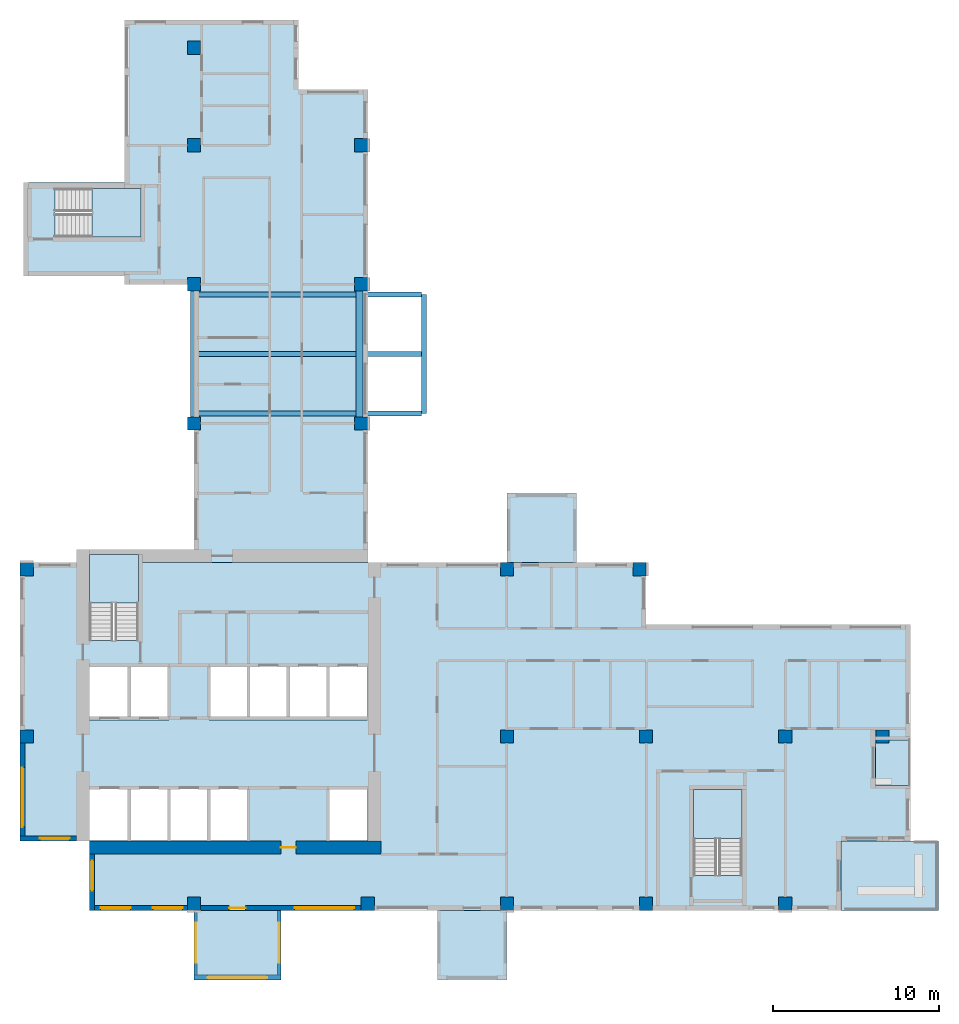
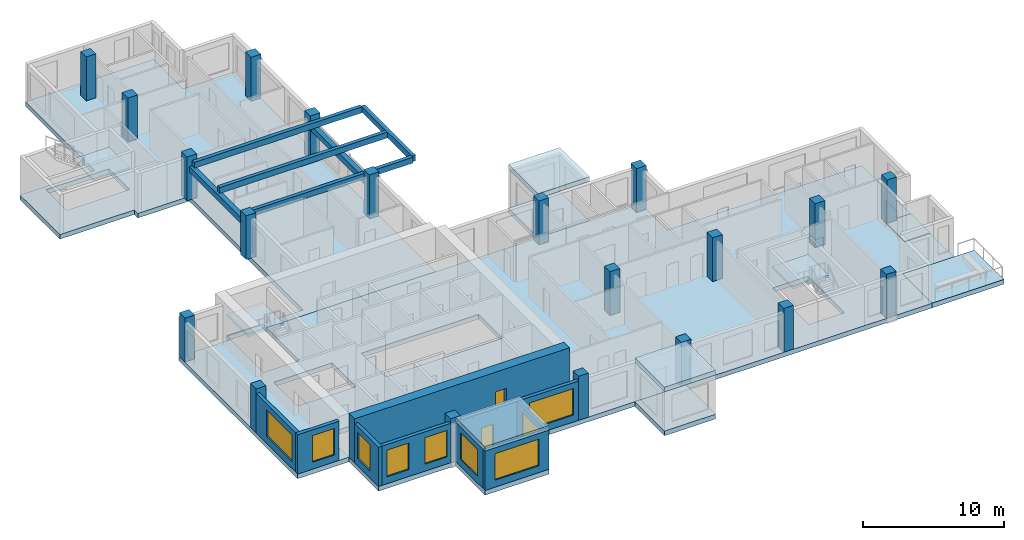
# One storey, part 1 of 12: 20 columns, 13 slabs, 9 walls, 9 windows, 6 beams, 2 doors, 11 openings, 3 elements without a shape of their own.
"""IFC4 building model written with IfcOpenShell, lengths in metres."""

from ifc_helpers import new_model, si_unit, direction, frame, frame_2d, origin, origin_2d, place, context, subcontext, project, spatial, polyline, rectangle, outline, extrude, source, transform, mapped, material, layer, layer_set, material_profile, profile_set, type_object, element, fill, aggregate, save


model = new_model("IFC4")

# Units and contexts
model_context = context("Model", 3, precision=1e-05, world=origin(), true_north=direction((0.0, 1.0)))
body_context = subcontext(model_context, "Body", "Model", "MODEL_VIEW")
ifc_project = project(units=[si_unit("LENGTHUNIT", "METRE"), si_unit("AREAUNIT", "SQUARE_METRE"), si_unit("VOLUMEUNIT", "CUBIC_METRE"), si_unit("PLANEANGLEUNIT", "RADIAN"), si_unit("MASSUNIT", "GRAM", prefix="KILO")], contexts=[model_context])

# Site, building, storey
site_placement = place(None, origin())
site = spatial("IfcSite", under=ifc_project, at=site_placement, CompositionType="ELEMENT")
building_placement = place(site_placement, origin())
building = spatial("IfcBuilding", under=site, at=building_placement, Name="Aurelian Terraces", CompositionType="ELEMENT")
storey_placement = place(building_placement, frame((0.0, 0.0, 234.8)))
storey = spatial("IfcBuildingStorey", under=building, at=storey_placement, Name="L53", CompositionType="ELEMENT", Elevation=234.8)

# Columns
ifc_material_1 = material(Name="Concrete fc' 70 MPa", Category="concrete")
ifc_material_profile_1 = material_profile(ifc_material_1, rectangle(XDim=0.8, YDim=0.8, at=origin_2d()))
ifc_profile_set_1 = profile_set([ifc_material_profile_1], Name="Concrete fc' 70 MPa")
column_type = type_object("IfcColumnType", Name="RC COLUMN 800X800 FC70", PredefinedType="COLUMN", material=ifc_profile_set_1)
shared_shape_1 = source(origin(), body_context, "Body", "SweptSolid", [
    extrude(rectangle(XDim=0.8, YDim=0.8, at=origin_2d()), origin(), (0.0, 0.0, 1.0), 3.8),
])
for number, where, z_axis, x_axis, name in (
    (1, (10.5, 0.4, 0.0), (0.0, 0.0, 1.0), (1.0, 0.0, 0.0), "Column 2/A L53"),
    (2, (21.0, 0.4, 0.0), (0.0, 0.0, 1.0), (1.0, 0.0, 0.0), "Column 3/A L53"),
    (3, (29.4, 0.4, 0.0), (0.0, 0.0, 1.0), (1.0, 0.0, 0.0), "Column 4/A L53"),
    (4, (37.8, 0.4, 0.0), (0.0, 0.0, 1.0), (1.0, 0.0, 0.0), "Column 5/A L53"),
    (5, (46.2, 0.4, 0.0), (0.0, 0.0, 1.0), (1.0, 0.0, 0.0), "Column 6/A L53"),
    (6, (0.4, 10.5, 0.0), (0.0, 0.0, 1.0), (1.0, 0.0, 0.0), "Column 1/B L53"),
    (7, (29.4, 10.5, 0.0), (0.0, 0.0, 1.0), (1.0, 0.0, 0.0), "Column 4/B L53"),
    (8, (37.8, 10.5, 0.0), (0.0, 0.0, 1.0), (1.0, 0.0, 0.0), "Column 5/B L53"),
    (9, (46.2, 10.5, 0.0), (0.0, 0.0, 1.0), (1.0, 0.0, 0.0), "Column 6/B L53"),
    (10, (52.08, 10.5, 0.0), (0.0, 0.0, 1.0), (1.0, 0.0, 0.0), "Column 7/B L53"),
    (11, (0.4, 20.6, 0.0), (0.0, 0.0, 1.0), (1.0, 0.0, 0.0), "Column 1/C L53"),
    (12, (29.4, 20.6, 0.0), (0.0, 0.0, 1.0), (1.0, 0.0, 0.0), "Column 4/C L53"),
    (13, (37.4, 20.6, 0.0), (0.0, 0.0, 1.0), (1.0, 0.0, 0.0), "Column 5/C L53"),
    (14, (10.5, 29.4, 0.0), (0.0, 0.0, 1.0), (1.0, 0.0, 0.0), "Column 2/D L53"),
    (15, (20.6, 29.4, 0.0), (0.0, 0.0, 1.0), (1.0, 0.0, 0.0), "Column 3/D L53"),
    (16, (10.5, 37.8, 0.0), (0.0, 0.0, 1.0), (1.0, 0.0, 0.0), "Column 2/E L53"),
    (17, (20.6, 37.8, 0.0), (0.0, 0.0, 1.0), (1.0, 0.0, 0.0), "Column 3/E L53"),
    (18, (10.5, 46.2, 0.0), (0.0, 0.0, 1.0), (1.0, 0.0, 0.0), "Column 2/F L53"),
    (19, (20.6, 46.2, 0.0), (0.0, 0.0, 1.0), (1.0, 0.0, 0.0), "Column 3/F L53"),
    (20, (10.5, 52.08, 0.0), (0.0, 0.0, 1.0), (1.0, 0.0, 0.0), "Column 2/G L53"),
):
    element("IfcColumn", number, at=place(storey_placement, frame(where, z_axis=z_axis, x_axis=x_axis)), inside=storey, type_object=column_type, Name=name, PredefinedType="COLUMN", context=body_context, shape_type="MappedRepresentation", body=[
        mapped(shared_shape_1, transform((0.0, 0.0, 0.0), scale=1.0)),
    ])

# Beams
ifc_material_2 = material(Name="Concrete fc' 40 MPa", Category="concrete")
ifc_material_profile_2 = material_profile(ifc_material_2, rectangle(XDim=0.3, YDim=0.5, at=origin_2d()))
ifc_profile_set_2 = profile_set([ifc_material_profile_2], Name="Concrete fc' 40 MPa")
beam_type_1 = type_object("IfcBeamType", Name="CONCRETE CANTILEVER BEAM 300X500", PredefinedType="BEAM", material=ifc_profile_set_2)
beam_placement = place(storey_placement, frame((24.4, 30.0, 3.15), z_axis=(0.0, 1.0, 0.0), x_axis=(-1.0, 0.0, 0.0)))
element("IfcBeam", 21, at=beam_placement, inside=storey, type_object=beam_type_1, Name="Box tip beam J78", PredefinedType="BEAM", context=body_context, shape_type="SweptSolid", body=[
    extrude(rectangle(XDim=0.3, YDim=0.5, at=origin_2d()), origin(), (0.0, 0.0, 1.0), 7.2),
])
shared_shape_2 = source(origin(), body_context, "Body", "SweptSolid", [
    extrude(rectangle(XDim=0.3, YDim=0.5, at=origin_2d()), origin(), (0.0, 0.0, 1.0), 13.75),
])
for number, where, z_axis, x_axis, name in (
    (22, (24.25, 30.0, 3.15), (-1.0, 0.0, 0.0), (0.0, -1.0, 0.0), "Box cantilever beam J78.1"),
    (23, (24.25, 37.2, 3.15), (-1.0, 0.0, 0.0), (0.0, -1.0, 0.0), "Box cantilever beam J78.2"),
    (24, (24.25, 33.6, 3.15), (-1.0, 0.0, 0.0), (0.0, -1.0, 0.0), "Box cantilever beam J78.m1"),
):
    element("IfcBeam", number, at=place(storey_placement, frame(where, z_axis=z_axis, x_axis=x_axis)), inside=storey, type_object=beam_type_1, Name=name, PredefinedType="BEAM", context=body_context, shape_type="MappedRepresentation", body=[
        mapped(shared_shape_2, transform((0.0, 0.0, 0.0), scale=1.0)),
    ])
ifc_material_profile_3 = material_profile(ifc_material_2, rectangle(XDim=0.4, YDim=0.5, at=origin_2d()))
ifc_profile_set_3 = profile_set([ifc_material_profile_3], Name="Concrete fc' 40 MPa")
beam_type_2 = type_object("IfcBeamType", Name="CONCRETE EDGE GIRDER 400X500", PredefinedType="BEAM", material=ifc_profile_set_3)
shared_shape_3 = source(origin(), body_context, "Body", "SweptSolid", [
    extrude(rectangle(XDim=0.4, YDim=0.5, at=origin_2d()), origin(), (0.0, 0.0, 1.0), 7.6),
])
for number, where, z_axis, x_axis, name in (
    (25, (20.5, 29.8, 2.65), (0.0, 1.0, 0.0), (-1.0, 0.0, 0.0), "Box girder L53 O152"),
    (26, (10.5, 29.8, 2.65), (0.0, 1.0, 0.0), (-1.0, 0.0, 0.0), "Box girder L53 I153"),
):
    element("IfcBeam", number, at=place(storey_placement, frame(where, z_axis=z_axis, x_axis=x_axis)), inside=storey, type_object=beam_type_2, Name=name, PredefinedType="BEAM", context=body_context, shape_type="MappedRepresentation", body=[
        mapped(shared_shape_3, transform((0.0, 0.0, 0.0), scale=1.0)),
    ])

# Slabs
ifc_layer_1 = layer(ifc_material_2, 0.4)
ifc_layer_set_1 = layer_set([ifc_layer_1], Name="PT FLAT PLATE 400")
slab_type_1 = type_object("IfcSlabType", Name="PT FLAT PLATE 400", PredefinedType="FLOOR", material=ifc_layer_set_1)
slab_1_placement = place(storey_placement, frame((0.0, 0.0, -0.4)))
element("IfcSlab", 27, at=slab_1_placement, inside=storey, type_object=slab_type_1, Name="Floor slab S L53", PredefinedType="FLOOR", context=body_context, shape_type="SweptSolid", body=[
    extrude(outline(polyline([(53.76, 4.2), (49.56, 4.2), (49.56, 0.0), (21.0, 0.0), (4.2, 0.0), (4.2, 4.2), (0.0, 4.2), (0.0, 21.0), (4.21, 21.0), (4.21, 16.31), (7.14, 16.31), (7.14, 21.0), (21.0, 21.0), (37.8, 21.0), (37.8, 17.25), (49.56, 17.25), (53.76, 17.25), (53.76, 16.8), (53.76, 16.65), (53.76, 4.2)]), holes=[polyline([(40.66, 2.11), (43.59, 2.11), (43.59, 7.29), (40.66, 7.29), (40.66, 2.11)]), polyline([(18.61, 7.49), (18.61, 4.21), (20.99, 4.21), (20.99, 7.49), (18.61, 7.49)]), polyline([(20.99, 14.89), (11.41, 14.89), (11.41, 11.51), (20.99, 11.51), (20.99, 14.89)]), polyline([(4.21, 7.49), (4.21, 4.21), (13.79, 4.21), (13.79, 7.49), (4.21, 7.49)]), polyline([(4.21, 14.89), (4.21, 11.51), (8.99, 11.51), (8.99, 14.89), (4.21, 14.89)])]), origin(), (0.0, 0.0, 1.0), 0.4),
])
ifc_layer_2 = layer(ifc_material_2, 0.4001)
ifc_layer_set_2 = layer_set([ifc_layer_2], Name="Terrace slab 400")
slab_type_2 = type_object("IfcSlabType", Name="Terrace slab 400", PredefinedType="NOTDEFINED", material=ifc_layer_set_2)
slab_2_placement = place(storey_placement, frame((0.0, 0.0, -0.4001)))
element("IfcSlab", 28, at=slab_2_placement, inside=storey, type_object=slab_type_2, Name="Setback terrace L53 L53-X1", PredefinedType="NOTDEFINED", context=body_context, shape_type="SweptSolid", body=[
    extrude(outline(polyline([(53.76, 4.2), (55.44, 4.2), (55.44, 0.0), (49.56, 0.0), (49.56, 4.2), (53.76, 4.2), (53.76, 4.2)])), origin(), (0.0, 0.0, 1.0), 0.4001),
])
shared_shape_4 = source(origin(), body_context, "Body", "SweptSolid", [
    extrude(outline(polyline([(6.3, 43.95), (6.3, 49.56), (6.3, 53.76), (10.5, 53.76), (16.8, 53.76), (16.8, 49.56), (21.0, 49.56), (21.0, 21.0), (7.14, 21.0), (7.14, 21.49), (4.21, 21.49), (4.21, 21.0), (4.2, 21.0), (4.2, 21.6), (6.3, 21.6), (10.5, 21.6), (10.5, 37.8), (6.3, 37.8), (6.3, 38.3), (0.2, 38.3), (0.2, 43.95), (6.3, 43.95)]), holes=[polyline([(7.29, 43.59), (2.11, 43.59), (2.11, 40.66), (7.29, 40.66), (7.29, 43.59)])]), origin(), (0.0, 0.0, 1.0), 0.4),
])
slab_3_placement = place(storey_placement, frame((0.0, 0.0, -0.4)))
element("IfcSlab", 29, at=slab_3_placement, inside=storey, type_object=slab_type_1, Name="Floor slab W L53", PredefinedType="FLOOR", context=body_context, shape_type="MappedRepresentation", body=[
    mapped(shared_shape_4, transform((0.0, 0.0, 0.0), scale=1.0)),
])
ifc_layer_3 = layer(ifc_material_2, 0.41)
ifc_layer_set_3 = layer_set([ifc_layer_3], Name="Box floor 410")
slab_type_3 = type_object("IfcSlabType", Name="Box floor 410", PredefinedType="NOTDEFINED", material=ifc_layer_set_3)
shared_shape_5 = source(origin(), body_context, "Body", "SweptSolid", [
    extrude(outline(polyline([(25.2, -4.2), (29.4, -4.2), (29.4, 0.0), (25.2, 0.0), (25.2, -4.2)])), origin(), (0.0, 0.0, 1.0), 0.41),
])
slab_4_placement = place(storey_placement, frame((0.0, 0.0, -0.41)))
element("IfcSlab", 30, at=slab_4_placement, inside=storey, type_object=slab_type_3, Name="Box floor L53 J76", PredefinedType="NOTDEFINED", context=body_context, shape_type="MappedRepresentation", body=[
    mapped(shared_shape_5, transform((0.0, 0.0, 0.0), scale=1.0)),
])
ifc_layer_4 = layer(ifc_material_2, 0.4)
ifc_layer_set_4 = layer_set([ifc_layer_4], Name="Box roof 400")
slab_type_4 = type_object("IfcSlabType", Name="Box roof 400", PredefinedType="ROOF", material=ifc_layer_set_4)
shared_shape_6 = source(origin(), body_context, "Body", "SweptSolid", [
    extrude(outline(polyline([(25.2, -4.2), (29.4, -4.2), (29.4, 0.0), (25.2, 0.0), (25.2, -4.2)])), origin(), (0.0, 0.0, 1.0), 0.4),
])
slab_5_placement = place(storey_placement, frame((0.0, 0.0, 3.4)))
element("IfcSlab", 31, at=slab_5_placement, inside=storey, type_object=slab_type_4, Name="Box roof J76", PredefinedType="ROOF", context=body_context, shape_type="MappedRepresentation", body=[
    mapped(shared_shape_6, transform((0.0, 0.0, 0.0), scale=1.0)),
])
shared_shape_7 = source(origin(), body_context, "Body", "SweptSolid", [
    extrude(outline(polyline([(33.6, 25.2), (29.4, 25.2), (29.4, 21.0), (33.6, 21.0), (33.6, 25.2)])), origin(), (0.0, 0.0, 1.0), 0.41),
])
slab_6_placement = place(storey_placement, frame((0.0, 0.0, -0.41)))
element("IfcSlab", 32, at=slab_6_placement, inside=storey, type_object=slab_type_3, Name="Box floor L53 J77", PredefinedType="NOTDEFINED", context=body_context, shape_type="MappedRepresentation", body=[
    mapped(shared_shape_7, transform((0.0, 0.0, 0.0), scale=1.0)),
])
shared_shape_8 = source(origin(), body_context, "Body", "SweptSolid", [
    extrude(outline(polyline([(10.5, -4.2), (15.75, -4.2), (15.75, 0.0), (10.5, 0.0), (10.5, -4.2)])), origin(), (0.0, 0.0, 1.0), 0.41),
])
slab_7_placement = place(storey_placement, frame((0.0, 0.0, -0.41)))
element("IfcSlab", 33, at=slab_7_placement, inside=storey, type_object=slab_type_3, Name="Box floor L53 J75", PredefinedType="NOTDEFINED", context=body_context, shape_type="MappedRepresentation", body=[
    mapped(shared_shape_8, transform((0.0, 0.0, 0.0), scale=1.0)),
])
shared_shape_9 = source(origin(), body_context, "Body", "SweptSolid", [
    extrude(outline(polyline([(33.6, 25.2), (29.4, 25.2), (29.4, 21.0), (33.6, 21.0), (33.6, 25.2)])), origin(), (0.0, 0.0, 1.0), 0.4),
])
slab_8_placement = place(storey_placement, frame((0.0, 0.0, 3.4)))
element("IfcSlab", 34, at=slab_8_placement, inside=storey, type_object=slab_type_4, Name="Box roof J77", PredefinedType="ROOF", context=body_context, shape_type="MappedRepresentation", body=[
    mapped(shared_shape_9, transform((0.0, 0.0, 0.0), scale=1.0)),
])
shared_shape_10 = source(origin(), body_context, "Body", "SweptSolid", [
    extrude(outline(polyline([(10.5, -4.2), (15.75, -4.2), (15.75, 0.0), (10.5, 0.0), (10.5, -4.2)])), origin(), (0.0, 0.0, 1.0), 0.4),
])
slab_9_placement = place(storey_placement, frame((0.0, 0.0, 3.4)))
element("IfcSlab", 35, at=slab_9_placement, inside=storey, type_object=slab_type_4, Name="Box roof J75", PredefinedType="ROOF", context=body_context, shape_type="MappedRepresentation", body=[
    mapped(shared_shape_10, transform((0.0, 0.0, 0.0), scale=1.0)),
])
ifc_material_3 = material(Name="Granite paving", Category="masonry")
ifc_layer_5 = layer(ifc_material_3, 0.05)
ifc_layer_set_5 = layer_set([ifc_layer_5], Name="Loggia paving 50")
slab_type_5 = type_object("IfcSlabType", Name="Loggia paving 50", PredefinedType="NOTDEFINED", material=ifc_layer_set_5)
shared_shape_11 = source(origin(), body_context, "Body", "SweptSolid", [
    extrude(outline(polyline([(53.76, 7.55), (53.76, 10.3), (51.66, 10.3), (51.66, 7.55), (53.76, 7.55)])), origin(), (0.0, 0.0, 1.0), 0.05),
])
slab_10_placement = place(storey_placement, origin())
element("IfcSlab", 36, at=slab_10_placement, inside=storey, type_object=slab_type_5, Name="Loggia floor L53 F04.11", PredefinedType="NOTDEFINED", context=body_context, shape_type="MappedRepresentation", body=[
    mapped(shared_shape_11, transform((0.0, 0.0, 0.0), scale=1.0)),
])

# Stair, slab
stair_type = type_object("IfcStairType", Name="Stair 1400", PredefinedType="HALF_TURN_STAIR", material=ifc_material_2)
stair_1_placement = place(storey_placement, origin())
stair_1 = element("IfcStair", 37, at=stair_1_placement, inside=storey, type_object=stair_type, Name="L53 S1", PredefinedType="HALF_TURN_STAIR")
ifc_layer_6 = layer(ifc_material_2, 0.2)
ifc_layer_set_6 = layer_set([ifc_layer_6], Name="Stair landing 200")
slab_type_6 = type_object("IfcSlabType", Name="Stair landing 200", PredefinedType="LANDING", material=ifc_layer_set_6)
shared_shape_12 = source(origin(), body_context, "Body", "SweptSolid", [
    extrude(outline(polyline([(7.15, 18.55), (7.15, 21.5), (4.2, 21.5), (4.2, 18.55), (7.15, 18.55)])), origin(), (0.0, 0.0, 1.0), 0.2),
])
slab_11_placement = place(storey_placement, frame((0.0, 0.0, 1.7)))
slab_11 = element("IfcSlab", 38, at=slab_11_placement, type_object=slab_type_6, Name="S1 landing 1", PredefinedType="LANDING", context=body_context, shape_type="MappedRepresentation", body=[
    mapped(shared_shape_12, transform((0.0, 0.0, 0.0), scale=1.0)),
])
aggregate(stair_1, [slab_11])

stair_2_placement = place(storey_placement, origin())
stair_2 = element("IfcStair", 39, at=stair_2_placement, inside=storey, type_object=stair_type, Name="L53 S2", PredefinedType="HALF_TURN_STAIR")
shared_shape_13 = source(origin(), body_context, "Body", "SweptSolid", [
    extrude(outline(polyline([(43.6, 4.35), (43.6, 7.3), (40.65, 7.3), (40.65, 4.35), (43.6, 4.35)])), origin(), (0.0, 0.0, 1.0), 0.2),
])
slab_12_placement = place(storey_placement, frame((0.0, 0.0, 1.7)))
slab_12 = element("IfcSlab", 40, at=slab_12_placement, type_object=slab_type_6, Name="S2 landing 1", PredefinedType="LANDING", context=body_context, shape_type="MappedRepresentation", body=[
    mapped(shared_shape_13, transform((0.0, 0.0, 0.0), scale=1.0)),
])
aggregate(stair_2, [slab_12])

stair_3_placement = place(storey_placement, origin())
stair_3 = element("IfcStair", 41, at=stair_3_placement, inside=storey, type_object=stair_type, Name="L53 S3", PredefinedType="HALF_TURN_STAIR")
shared_shape_14 = source(origin(), body_context, "Body", "SweptSolid", [
    extrude(outline(polyline([(4.35, 40.65), (7.3, 40.65), (7.3, 43.6), (4.35, 43.6), (4.35, 40.65)])), origin(), (0.0, 0.0, 1.0), 0.2),
])
slab_13_placement = place(storey_placement, frame((0.0, 0.0, 1.7)))
slab_13 = element("IfcSlab", 42, at=slab_13_placement, type_object=slab_type_6, Name="S3 landing 1", PredefinedType="LANDING", context=body_context, shape_type="MappedRepresentation", body=[
    mapped(shared_shape_14, transform((0.0, 0.0, 0.0), scale=1.0)),
])
aggregate(stair_3, [slab_13])

# Wall, opening, door
ifc_layer_7 = layer(ifc_material_1, 0.8)
ifc_layer_set_7 = layer_set([ifc_layer_7], Name="CORE WALL 800 FC70")
wall_type_1 = type_object("IfcWallType", Name="CORE WALL 800 FC70", PredefinedType="SHEAR", material=ifc_layer_set_7)
shared_shape_15 = source(origin(), body_context, "Body", "SweptSolid", [
    extrude(rectangle(XDim=17.6, YDim=0.8, at=frame_2d((8.8, 0.0))), origin(), (0.0, 0.0, 1.0), 3.8),
])
wall_1_placement = place(storey_placement, frame((4.2, 3.8, 0.0), z_axis=(0.0, 0.0, 1.0), x_axis=(1.0, 0.0, 0.0)))
wall_1 = element("IfcWall", 43, at=wall_1_placement, inside=storey, type_object=wall_type_1, Name="Core wall S L53", PredefinedType="SHEAR", context=body_context, shape_type="MappedRepresentation", body=[
    mapped(shared_shape_15, transform((0.0, 0.0, 0.0), scale=1.0)),
])
shared_shape_16 = source(origin(), body_context, "Body", "SweptSolid", [
    extrude(rectangle(XDim=0.9, YDim=2.1, at=frame_2d((0.45, 1.05))), frame((0.0, 0.41, 0.0), z_axis=(0.0, -1.0, 0.0), x_axis=(1.0, 0.0, 0.0)), (0.0, 0.0, 1.0), 0.82),
])
opening_1_placement = place(wall_1_placement, frame((11.55, 0.0, 0.0)))
opening_1 = element("IfcOpeningElement", 44, at=opening_1_placement, cuts=wall_1, Name="Opening 65625", PredefinedType="OPENING", context=body_context, shape_type="MappedRepresentation", body=[
    mapped(shared_shape_16, transform((0.0, 0.0, 0.0), scale=1.0)),
])
ifc_material_4 = material(Name="Steel door leaf", Category="steel")
door_type_1 = type_object("IfcDoorType", Name="Core service door 900x2100", OperationType="SINGLE_SWING_LEFT", PredefinedType="DOOR", material=ifc_material_4)
shared_shape_17 = source(origin(), body_context, "Body", "SweptSolid", [
    extrude(rectangle(XDim=0.9, YDim=2.1, at=frame_2d((0.45, 1.05))), frame((0.0, 0.025, 0.0), z_axis=(0.0, -1.0, 0.0), x_axis=(1.0, 0.0, 0.0)), (0.0, 0.0, 1.0), 0.05),
])
door_1_placement = place(opening_1_placement, origin())
door_1 = element("IfcDoor", 45, at=door_1_placement, inside=storey, type_object=door_type_1, Name="Core door 65625", OperationType="SINGLE_SWING_LEFT", OverallHeight=2.1, OverallWidth=0.9, PredefinedType="DOOR", context=body_context, shape_type="MappedRepresentation", body=[
    mapped(shared_shape_17, transform((0.0, 0.0, 0.0), scale=1.0)),
])
fill(opening_1, door_1)

# Wall, opening, window
ifc_material_5 = material(Name="Terracotta rainscreen cladding", Category="masonry")
ifc_layer_8 = layer(ifc_material_5, 0.3)
ifc_layer_set_8 = layer_set([ifc_layer_8], Name="EW-300")
wall_type_2 = type_object("IfcWallType", Name="EW-300", PredefinedType="STANDARD", material=ifc_layer_set_8)
shared_shape_18 = source(origin(), body_context, "Body", "SweptSolid", [
    extrude(rectangle(XDim=3.4, YDim=0.3, at=frame_2d((1.7, 0.0))), origin(), (0.0, 0.0, 1.0), 3.4),
])
wall_2_placement = place(storey_placement, frame((0.0, 4.35, 0.0), z_axis=(0.0, 0.0, 1.0), x_axis=(1.0, 0.0, 0.0)))
wall_2 = element("IfcWall", 46, at=wall_2_placement, inside=storey, type_object=wall_type_2, Name="External wall L53 F23.36", PredefinedType="STANDARD", context=body_context, shape_type="MappedRepresentation", body=[
    mapped(shared_shape_18, transform((0.0, 0.0, 0.0), scale=1.0)),
])
shared_shape_19 = source(origin(), body_context, "Body", "SweptSolid", [
    extrude(rectangle(XDim=1.8, YDim=2.3, at=frame_2d((0.9, 1.15))), frame((0.0, 0.16, 0.0), z_axis=(0.0, -1.0, 0.0), x_axis=(1.0, 0.0, 0.0)), (0.0, 0.0, 1.0), 0.32),
])
opening_2_placement = place(wall_2_placement, frame((1.2, 0.0, 0.6)))
opening_2 = element("IfcOpeningElement", 47, at=opening_2_placement, cuts=wall_2, Name="Opening W1823", PredefinedType="OPENING", context=body_context, shape_type="MappedRepresentation", body=[
    mapped(shared_shape_19, transform((0.0, 0.0, 0.0), scale=1.0)),
])
ifc_material_6 = material(Name="Clear glazing", Category="glass")
window_type_1 = type_object("IfcWindowType", Name="W-1800x2300", PartitioningType="SINGLE_PANEL", PredefinedType="WINDOW", material=ifc_material_6)
shared_shape_20 = source(origin(), body_context, "Body", "SweptSolid", [
    extrude(rectangle(XDim=1.8, YDim=2.3, at=frame_2d((0.9, 1.15))), frame((0.0, 0.03, 0.0), z_axis=(0.0, -1.0, 0.0), x_axis=(1.0, 0.0, 0.0)), (0.0, 0.0, 1.0), 0.06),
])
window_1_placement = place(opening_2_placement, origin())
window_1 = element("IfcWindow", 48, at=window_1_placement, inside=storey, type_object=window_type_1, Name="Window L53 L53-F23-36-0", OverallHeight=2.3, OverallWidth=1.8, PartitioningType="SINGLE_PANEL", PredefinedType="WINDOW", context=body_context, shape_type="MappedRepresentation", body=[
    mapped(shared_shape_20, transform((0.0, 0.0, 0.0), scale=1.0)),
])
fill(opening_2, window_1)

wall_3_placement = place(storey_placement, frame((4.35, 3.4, 0.0), z_axis=(0.0, 0.0, 1.0), x_axis=(0.0, -1.0, 0.0)))
wall_3 = element("IfcWall", 49, at=wall_3_placement, inside=storey, type_object=wall_type_2, Name="External wall L53 F24.37", PredefinedType="STANDARD", context=body_context, shape_type="MappedRepresentation", body=[
    mapped(shared_shape_18, transform((0.0, 0.0, 0.0), scale=1.0)),
])
opening_3_placement = place(wall_3_placement, frame((0.4, 0.0, 0.6)))
opening_3 = element("IfcOpeningElement", 50, at=opening_3_placement, cuts=wall_3, Name="Opening W1823", PredefinedType="OPENING", context=body_context, shape_type="MappedRepresentation", body=[
    mapped(shared_shape_19, transform((0.0, 0.0, 0.0), scale=1.0)),
])
window_2_placement = place(opening_3_placement, origin())
window_2 = element("IfcWindow", 51, at=window_2_placement, inside=storey, type_object=window_type_1, Name="Window L53 L53-F24-37-0", OverallHeight=2.3, OverallWidth=1.8, PartitioningType="SINGLE_PANEL", PredefinedType="WINDOW", context=body_context, shape_type="MappedRepresentation", body=[
    mapped(shared_shape_20, transform((0.0, 0.0, 0.0), scale=1.0)),
])
fill(opening_3, window_2)

ifc_layer_9 = layer(ifc_material_2, 0.2)
ifc_layer_set_9 = layer_set([ifc_layer_9], Name="BOX BEARING WALL 200")
wall_type_3 = type_object("IfcWallType", Name="BOX BEARING WALL 200", PredefinedType="SOLIDWALL", material=ifc_layer_set_9)
shared_shape_21 = source(origin(), body_context, "Body", "SweptSolid", [
    extrude(rectangle(XDim=3.9, YDim=0.2, at=frame_2d((1.95, 0.0))), origin(), (0.0, 0.0, 1.0), 3.4),
])
wall_4_placement = place(storey_placement, frame((10.6, 0.0, 0.0), z_axis=(0.0, 0.0, 1.0), x_axis=(0.0, -1.0, 0.0)))
wall_4 = element("IfcWall", 52, at=wall_4_placement, inside=storey, type_object=wall_type_3, Name="Box return L53 J75.1", PredefinedType="SOLIDWALL", context=body_context, shape_type="MappedRepresentation", body=[
    mapped(shared_shape_21, transform((0.0, 0.0, 0.0), scale=1.0)),
])
shared_shape_22 = source(origin(), body_context, "Body", "SweptSolid", [
    extrude(rectangle(XDim=2.4, YDim=2.3, at=frame_2d((1.2, 1.15))), frame((0.0, 0.11, 0.0), z_axis=(0.0, -1.0, 0.0), x_axis=(1.0, 0.0, 0.0)), (0.0, 0.0, 1.0), 0.22),
])
opening_4_placement = place(wall_4_placement, frame((0.75, 0.0, 0.6)))
opening_4 = element("IfcOpeningElement", 53, at=opening_4_placement, cuts=wall_4, Name="Opening W2423", PredefinedType="OPENING", context=body_context, shape_type="MappedRepresentation", body=[
    mapped(shared_shape_22, transform((0.0, 0.0, 0.0), scale=1.0)),
])
window_type_2 = type_object("IfcWindowType", Name="W-2400x2300", PartitioningType="SINGLE_PANEL", PredefinedType="WINDOW", material=ifc_material_6)
shared_shape_23 = source(origin(), body_context, "Body", "SweptSolid", [
    extrude(rectangle(XDim=2.4, YDim=2.3, at=frame_2d((1.2, 1.15))), frame((0.0, 0.03, 0.0), z_axis=(0.0, -1.0, 0.0), x_axis=(1.0, 0.0, 0.0)), (0.0, 0.0, 1.0), 0.06),
])
window_3_placement = place(opening_4_placement, origin())
window_3 = element("IfcWindow", 54, at=window_3_placement, inside=storey, type_object=window_type_2, Name="Window L53 J75-S1", OverallHeight=2.3, OverallWidth=2.4, PartitioningType="SINGLE_PANEL", PredefinedType="WINDOW", context=body_context, shape_type="MappedRepresentation", body=[
    mapped(shared_shape_23, transform((0.0, 0.0, 0.0), scale=1.0)),
])
fill(opening_4, window_3)

wall_5_placement = place(storey_placement, frame((15.65, 0.0, 0.0), z_axis=(0.0, 0.0, 1.0), x_axis=(0.0, -1.0, 0.0)))
wall_5 = element("IfcWall", 55, at=wall_5_placement, inside=storey, type_object=wall_type_3, Name="Box return L53 J75.2", PredefinedType="SOLIDWALL", context=body_context, shape_type="MappedRepresentation", body=[
    mapped(shared_shape_21, transform((0.0, 0.0, 0.0), scale=1.0)),
])
opening_5_placement = place(wall_5_placement, frame((0.75, 0.0, 0.6)))
opening_5 = element("IfcOpeningElement", 56, at=opening_5_placement, cuts=wall_5, Name="Opening W2423", PredefinedType="OPENING", context=body_context, shape_type="MappedRepresentation", body=[
    mapped(shared_shape_22, transform((0.0, 0.0, 0.0), scale=1.0)),
])
window_4_placement = place(opening_5_placement, origin())
window_4 = element("IfcWindow", 57, at=window_4_placement, inside=storey, type_object=window_type_2, Name="Window L53 J75-S2", OverallHeight=2.3, OverallWidth=2.4, PartitioningType="SINGLE_PANEL", PredefinedType="WINDOW", context=body_context, shape_type="MappedRepresentation", body=[
    mapped(shared_shape_23, transform((0.0, 0.0, 0.0), scale=1.0)),
])
fill(opening_5, window_4)

ifc_layer_10 = layer(ifc_material_2, 0.3)
ifc_layer_set_10 = layer_set([ifc_layer_10], Name="BOX BEARING WALL 300")
wall_type_4 = type_object("IfcWallType", Name="BOX BEARING WALL 300", PredefinedType="SOLIDWALL", material=ifc_layer_set_10)
shared_shape_24 = source(origin(), body_context, "Body", "SweptSolid", [
    extrude(rectangle(XDim=5.25, YDim=0.3, at=frame_2d((2.625, 0.0))), origin(), (0.0, 0.0, 1.0), 3.4),
])
wall_6_placement = place(storey_placement, frame((10.5, -4.05, 0.0), z_axis=(0.0, 0.0, 1.0), x_axis=(1.0, 0.0, 0.0)))
wall_6 = element("IfcWall", 58, at=wall_6_placement, inside=storey, type_object=wall_type_4, Name="Box wall L53 J75", PredefinedType="SOLIDWALL", context=body_context, shape_type="MappedRepresentation", body=[
    mapped(shared_shape_24, transform((0.0, 0.0, 0.0), scale=1.0)),
])
shared_shape_25 = source(origin(), body_context, "Body", "SweptSolid", [
    extrude(rectangle(XDim=3.6, YDim=2.3, at=frame_2d((1.8, 1.15))), frame((0.0, 0.16, 0.0), z_axis=(0.0, -1.0, 0.0), x_axis=(1.0, 0.0, 0.0)), (0.0, 0.0, 1.0), 0.32),
])
opening_6_placement = place(wall_6_placement, frame((0.825, 0.0, 0.6)))
opening_6 = element("IfcOpeningElement", 59, at=opening_6_placement, cuts=wall_6, Name="Opening W3623", PredefinedType="OPENING", context=body_context, shape_type="MappedRepresentation", body=[
    mapped(shared_shape_25, transform((0.0, 0.0, 0.0), scale=1.0)),
])
window_type_3 = type_object("IfcWindowType", Name="W-3600x2300", PartitioningType="SINGLE_PANEL", PredefinedType="WINDOW", material=ifc_material_6)
shared_shape_26 = source(origin(), body_context, "Body", "SweptSolid", [
    extrude(rectangle(XDim=3.6, YDim=2.3, at=frame_2d((1.8, 1.15))), frame((0.0, 0.03, 0.0), z_axis=(0.0, -1.0, 0.0), x_axis=(1.0, 0.0, 0.0)), (0.0, 0.0, 1.0), 0.06),
])
window_5_placement = place(opening_6_placement, origin())
window_5 = element("IfcWindow", 60, at=window_5_placement, inside=storey, type_object=window_type_3, Name="Window L53 J75-F1", OverallHeight=2.3, OverallWidth=3.6, PartitioningType="SINGLE_PANEL", PredefinedType="WINDOW", context=body_context, shape_type="MappedRepresentation", body=[
    mapped(shared_shape_26, transform((0.0, 0.0, 0.0), scale=1.0)),
])
fill(opening_6, window_5)

# Wall, openings, windows
shared_shape_27 = source(origin(), body_context, "Body", "SweptSolid", [
    extrude(rectangle(XDim=5.9, YDim=0.3, at=frame_2d((2.95, 0.0))), origin(), (0.0, 0.0, 1.0), 3.4),
])
wall_7_placement = place(storey_placement, frame((4.2, 0.15, 0.0), z_axis=(0.0, 0.0, 1.0), x_axis=(1.0, 0.0, 0.0)))
wall_7 = element("IfcWall", 61, at=wall_7_placement, inside=storey, type_object=wall_type_2, Name="External wall L53 F01.1", PredefinedType="STANDARD", context=body_context, shape_type="MappedRepresentation", body=[
    mapped(shared_shape_27, transform((0.0, 0.0, 0.0), scale=1.0)),
])
opening_7_placement = place(wall_7_placement, frame((0.675, 0.0, 0.6)))
opening_7 = element("IfcOpeningElement", 62, at=opening_7_placement, cuts=wall_7, Name="Opening W1823", PredefinedType="OPENING", context=body_context, shape_type="MappedRepresentation", body=[
    mapped(shared_shape_19, transform((0.0, 0.0, 0.0), scale=1.0)),
])
opening_8_placement = place(wall_7_placement, frame((3.825, 0.0, 0.6)))
opening_8 = element("IfcOpeningElement", 63, at=opening_8_placement, cuts=wall_7, Name="Opening W1823", PredefinedType="OPENING", context=body_context, shape_type="MappedRepresentation", body=[
    mapped(shared_shape_19, transform((0.0, 0.0, 0.0), scale=1.0)),
])
window_6_placement = place(opening_7_placement, origin())
window_6 = element("IfcWindow", 64, at=window_6_placement, inside=storey, type_object=window_type_1, Name="Window L53 L53-F01-01-0", OverallHeight=2.3, OverallWidth=1.8, PartitioningType="SINGLE_PANEL", PredefinedType="WINDOW", context=body_context, shape_type="MappedRepresentation", body=[
    mapped(shared_shape_20, transform((0.0, 0.0, 0.0), scale=1.0)),
])
fill(opening_7, window_6)
window_7_placement = place(opening_8_placement, origin())
window_7 = element("IfcWindow", 65, at=window_7_placement, inside=storey, type_object=window_type_1, Name="Window L53 L53-F01-01-1", OverallHeight=2.3, OverallWidth=1.8, PartitioningType="SINGLE_PANEL", PredefinedType="WINDOW", context=body_context, shape_type="MappedRepresentation", body=[
    mapped(shared_shape_20, transform((0.0, 0.0, 0.0), scale=1.0)),
])
fill(opening_8, window_7)

# Wall, opening, window
wall_8_placement = place(storey_placement, frame((0.15, 10.1, 0.0), z_axis=(0.0, 0.0, 1.0), x_axis=(0.0, -1.0, 0.0)))
wall_8 = element("IfcWall", 66, at=wall_8_placement, inside=storey, type_object=wall_type_2, Name="External wall L53 F22.35", PredefinedType="STANDARD", context=body_context, shape_type="MappedRepresentation", body=[
    mapped(shared_shape_27, transform((0.0, 0.0, 0.0), scale=1.0)),
])
opening_9_placement = place(wall_8_placement, frame((1.475, 0.0, 0.6)))
opening_9 = element("IfcOpeningElement", 67, at=opening_9_placement, cuts=wall_8, Name="Opening W3623", PredefinedType="OPENING", context=body_context, shape_type="MappedRepresentation", body=[
    mapped(shared_shape_25, transform((0.0, 0.0, 0.0), scale=1.0)),
])
window_8_placement = place(opening_9_placement, origin())
window_8 = element("IfcWindow", 68, at=window_8_placement, inside=storey, type_object=window_type_3, Name="Window L53 L53-F22-35-3", OverallHeight=2.3, OverallWidth=3.6, PartitioningType="SINGLE_PANEL", PredefinedType="WINDOW", context=body_context, shape_type="MappedRepresentation", body=[
    mapped(shared_shape_26, transform((0.0, 0.0, 0.0), scale=1.0)),
])
fill(opening_9, window_8)

# Wall, openings, window, door
shared_shape_28 = source(origin(), body_context, "Body", "SweptSolid", [
    extrude(rectangle(XDim=9.7, YDim=0.3, at=frame_2d((4.85, 0.0))), origin(), (0.0, 0.0, 1.0), 3.4),
])
wall_9_placement = place(storey_placement, frame((10.9, 0.15, 0.0), z_axis=(0.0, 0.0, 1.0), x_axis=(1.0, 0.0, 0.0)))
wall_9 = element("IfcWall", 69, at=wall_9_placement, inside=storey, type_object=wall_type_2, Name="External wall L53 F01.2", PredefinedType="STANDARD", context=body_context, shape_type="MappedRepresentation", body=[
    mapped(shared_shape_28, transform((0.0, 0.0, 0.0), scale=1.0)),
])
opening_10_placement = place(wall_9_placement, frame((5.675, 0.0, 0.6)))
opening_10 = element("IfcOpeningElement", 70, at=opening_10_placement, cuts=wall_9, Name="Opening W3623", PredefinedType="OPENING", context=body_context, shape_type="MappedRepresentation", body=[
    mapped(shared_shape_25, transform((0.0, 0.0, 0.0), scale=1.0)),
])
shared_shape_29 = source(origin(), body_context, "Body", "SweptSolid", [
    extrude(rectangle(XDim=1.0, YDim=2.1, at=frame_2d((0.5, 1.05))), frame((0.0, 0.16, 0.0), z_axis=(0.0, -1.0, 0.0), x_axis=(1.0, 0.0, 0.0)), (0.0, 0.0, 1.0), 0.32),
])
opening_11_placement = place(wall_9_placement, frame((1.725, 0.0, 0.0)))
opening_11 = element("IfcOpeningElement", 71, at=opening_11_placement, cuts=wall_9, Name="Opening 853001", PredefinedType="OPENING", context=body_context, shape_type="MappedRepresentation", body=[
    mapped(shared_shape_29, transform((0.0, 0.0, 0.0), scale=1.0)),
])
window_9_placement = place(opening_10_placement, origin())
window_9 = element("IfcWindow", 72, at=window_9_placement, inside=storey, type_object=window_type_3, Name="Window L53 L53-F01-02-1", OverallHeight=2.3, OverallWidth=3.6, PartitioningType="SINGLE_PANEL", PredefinedType="WINDOW", context=body_context, shape_type="MappedRepresentation", body=[
    mapped(shared_shape_26, transform((0.0, 0.0, 0.0), scale=1.0)),
])
fill(opening_10, window_9)
ifc_material_7 = material(Name="Timber door leaf", Category="wood")
door_type_2 = type_object("IfcDoorType", Name="Room door 1000x2100 left", OperationType="SINGLE_SWING_LEFT", PredefinedType="DOOR", material=ifc_material_7)
shared_shape_30 = source(origin(), body_context, "Body", "SweptSolid", [
    extrude(rectangle(XDim=1.0, YDim=2.1, at=frame_2d((0.5, 1.05))), frame((0.0, 0.025, 0.0), z_axis=(0.0, -1.0, 0.0), x_axis=(1.0, 0.0, 0.0)), (0.0, 0.0, 1.0), 0.05),
])
door_2_placement = place(opening_11_placement, origin())
door_2 = element("IfcDoor", 73, at=door_2_placement, inside=storey, type_object=door_type_2, Name="Door 853001", OperationType="SINGLE_SWING_LEFT", OverallHeight=2.1, OverallWidth=1.0, PredefinedType="DOOR", context=body_context, shape_type="MappedRepresentation", body=[
    mapped(shared_shape_30, transform((0.0, 0.0, 0.0), scale=1.0)),
])
fill(opening_11, door_2)

save(model, "model.ifc")
